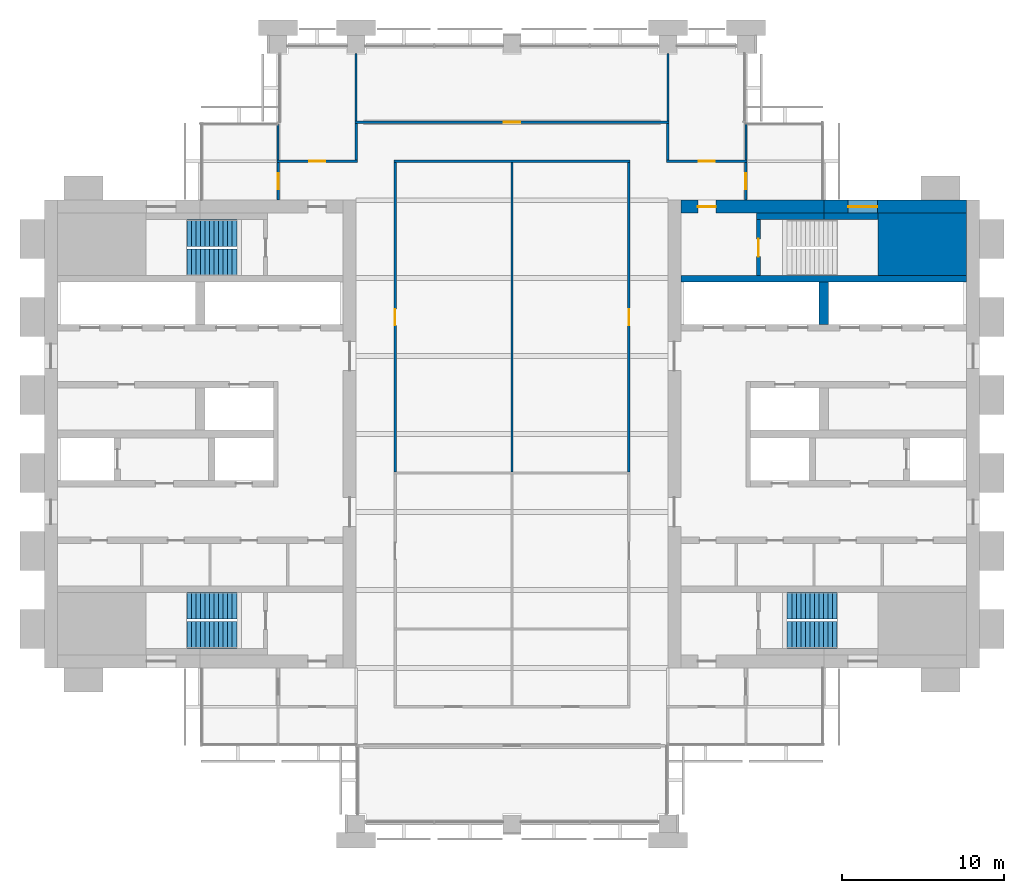
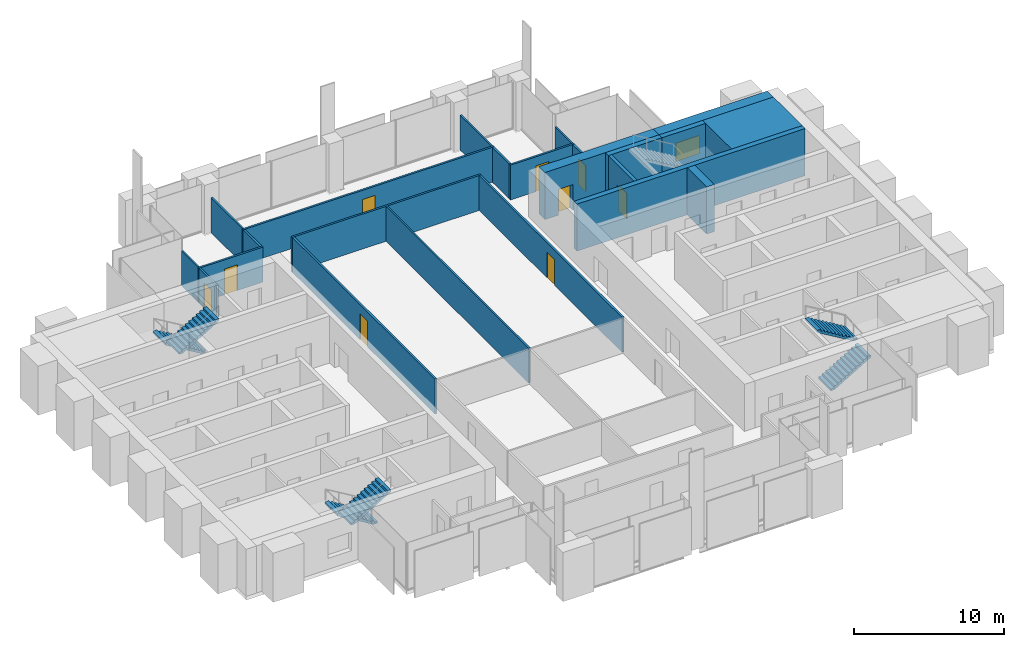
# One storey, part 11 of 13: 23 walls, 9 doors, 6 stair flights, 1 window, 10 openings, 3 elements without a shape of their own.
"""IFC4 building model written with IfcOpenShell, lengths in metres."""

from ifc_helpers import new_model, si_unit, direction, frame, frame_2d, origin, place, context, subcontext, project, spatial, polyline, rectangle, outline, extrude, material, layer, layer_set, type_object, element, fill, aggregate, save


model = new_model("IFC4")

# Units and contexts
model_context = context("Model", 3, precision=1e-05, world=origin(), true_north=direction((0.0, 1.0)))
body_context = subcontext(model_context, "Body", "Model", "MODEL_VIEW")
ifc_project = project(units=[si_unit("LENGTHUNIT", "METRE"), si_unit("AREAUNIT", "SQUARE_METRE"), si_unit("VOLUMEUNIT", "CUBIC_METRE"), si_unit("PLANEANGLEUNIT", "RADIAN"), si_unit("MASSUNIT", "GRAM", prefix="KILO")], contexts=[model_context])

# Site, building, storey
site_placement = place(None, origin())
site = spatial("IfcSite", under=ifc_project, at=site_placement, CompositionType="ELEMENT")
building_placement = place(site_placement, origin())
building = spatial("IfcBuilding", under=site, at=building_placement, Name="Baori Bourse Tower", CompositionType="ELEMENT")
storey_placement = place(building_placement, frame((0.0, 0.0, 193.199951171875)))
storey = spatial("IfcBuildingStorey", under=building, at=storey_placement, Name="L41", CompositionType="ELEMENT", Elevation=193.199951171875)

# Wall
ifc_material_1 = material(Name="Concrete f'c 50 MPa", Category="concrete")
wall_type_1 = type_object("IfcWallType", Name="Core corner block f'c 50", PredefinedType="SHEAR", material=ifc_material_1)
wall_1_placement = place(storey_placement, frame((51.35009765625, 35.675048828125, 0.0), z_axis=(0.0, 0.0, 1.0), x_axis=(1.0, 0.0, 0.0)))
element("IfcWall", 1, at=wall_1_placement, inside=storey, type_object=wall_type_1, Name="Core wall E24", PredefinedType="SHEAR", context=body_context, shape_type="SweptSolid", body=[
    extrude(rectangle(XDim=5.449951171875, YDim=3.85009765625, at=frame_2d((2.72509765625, 0.0))), origin(), (0.0, 0.0, 1.0), 3.840087890625),
])

# Wall, opening, window
ifc_material_2 = material(Name="Concrete f'c 50 MPa", Category="concrete")
ifc_layer_1 = layer(ifc_material_2, 0.800048828125)
ifc_layer_set_1 = layer_set([ifc_layer_1], Name="Core wall 800 f'c 50")
wall_type_2 = type_object("IfcWallType", Name="Core wall 800 f'c 50", PredefinedType="SHEAR", material=ifc_layer_set_1)
wall_2_placement = place(storey_placement, frame((48.0, 38.0, 0.0), z_axis=(0.0, 0.0, 1.0), x_axis=(1.0, 0.0, 0.0)))
wall_2 = element("IfcWall", 2, at=wall_2_placement, inside=storey, type_object=wall_type_2, Name="Core wall E28", PredefinedType="SHEAR", context=body_context, shape_type="SweptSolid", body=[
    extrude(rectangle(XDim=8.800048828125, YDim=0.800048828125, at=frame_2d((4.39990234375, 0.0))), origin(), (0.0, 0.0, 1.0), 3.840087890625),
])
opening_1_placement = place(wall_2_placement, frame((1.5, 0.0, 0.89990234375)))
opening_1 = element("IfcOpeningElement", 3, at=opening_1_placement, cuts=wall_2, Name="Opening L41-KW204", PredefinedType="OPENING", context=body_context, shape_type="SweptSolid", body=[
    extrude(rectangle(XDim=1.800048828125, YDim=1.5, at=frame_2d((0.89990234375, 0.75))), frame((0.0, 0.409912109375, 0.0), z_axis=(0.0, -1.0, 0.0), x_axis=(1.0, 0.0, 0.0)), (0.0, 0.0, 1.0), 0.820068359375),
])
ifc_material_3 = material(Name="Pale anodised aluminium", Category="aluminium")
window_type = type_object("IfcWindowType", Name="Stair window 1800 x 1500", PartitioningType="SINGLE_PANEL", PredefinedType="WINDOW", material=ifc_material_3)
window_placement = place(opening_1_placement, origin())
window = element("IfcWindow", 4, at=window_placement, inside=storey, type_object=window_type, Name="Stair window E L41 4", OverallHeight=1.5, OverallWidth=1.800048828125, PartitioningType="SINGLE_PANEL", PredefinedType="WINDOW", context=body_context, shape_type="SweptSolid", body=[
    extrude(rectangle(XDim=1.800048828125, YDim=1.5, at=frame_2d((0.89990234375, 0.75))), frame((0.0, 0.030029296875, 0.0), z_axis=(0.0, -1.0, 0.0), x_axis=(1.0, 0.0, 0.0)), (0.0, 0.0, 1.0), 0.06005859375),
])
fill(opening_1, window)

# Wall, opening, door
wall_3_placement = place(storey_placement, frame((39.199951171875, 38.0, 0.0), z_axis=(0.0, 0.0, 1.0), x_axis=(1.0, 0.0, 0.0)))
wall_3 = element("IfcWall", 5, at=wall_3_placement, inside=storey, type_object=wall_type_2, Name="Core wall E29", PredefinedType="SHEAR", context=body_context, shape_type="SweptSolid", body=[
    extrude(rectangle(XDim=8.800048828125, YDim=0.800048828125, at=frame_2d((4.39990234375, 0.0))), origin(), (0.0, 0.0, 1.0), 3.840087890625),
])
opening_2_placement = place(wall_3_placement, frame((1.050048828125, 0.0, 0.0)))
opening_2 = element("IfcOpeningElement", 6, at=opening_2_placement, cuts=wall_3, Name="Opening L41-D204", PredefinedType="OPENING", context=body_context, shape_type="SweptSolid", body=[
    extrude(rectangle(XDim=1.10009765625, YDim=2.10009765625, at=frame_2d((0.550048828125, 1.050048828125))), frame((0.0, 0.409912109375, 0.0), z_axis=(0.0, -1.0, 0.0), x_axis=(1.0, 0.0, 0.0)), (0.0, 0.0, 1.0), 0.820068359375),
])
ifc_material_4 = material(Name="Painted steel door", Category="steel")
door_type_1 = type_object("IfcDoorType", Name="Stair door 1100", OperationType="SINGLE_SWING_LEFT", PredefinedType="DOOR", material=ifc_material_4)
door_1_placement = place(opening_2_placement, origin())
door_1 = element("IfcDoor", 7, at=door_1_placement, inside=storey, type_object=door_type_1, Name="Stair vestibule door B E L41", OperationType="SINGLE_SWING_LEFT", OverallHeight=2.10009765625, OverallWidth=1.10009765625, PredefinedType="DOOR", context=body_context, shape_type="SweptSolid", body=[
    extrude(rectangle(XDim=1.10009765625, YDim=2.10009765625, at=frame_2d((0.550048828125, 1.050048828125))), frame((0.0, 0.02490234375, 0.0), z_axis=(0.0, -1.0, 0.0), x_axis=(1.0, 0.0, 0.0)), (0.0, 0.0, 1.0), 0.050048828125),
])
fill(opening_2, door_1)

ifc_material_5 = material(Name="Gypsum board partition")
ifc_layer_2 = layer(ifc_material_5, 0.14990234375)
ifc_layer_set_2 = layer_set([ifc_layer_2], Name="Corridor partition 150")
wall_type_3 = type_object("IfcWallType", Name="Corridor partition 150", PredefinedType="PARTITIONING", material=ifc_layer_set_2)
wall_4_placement = place(storey_placement, frame((14.324951171875, 40.800048828125, 0.0), z_axis=(0.0, 0.0, 1.0), x_axis=(1.0, 0.0, 0.0)))
wall_4 = element("IfcWall", 8, at=wall_4_placement, inside=storey, type_object=wall_type_3, Name="Partition", PredefinedType="PARTITIONING", context=body_context, shape_type="SweptSolid", body=[
    extrude(rectangle(XDim=4.949951171875, YDim=0.14990234375, at=frame_2d((2.47509765625, 0.0))), origin(), (0.0, 0.0, 1.0), 2.849365234375),
])
opening_3_placement = place(wall_4_placement, frame((1.97509765625, 0.0, 0.0)))
opening_3 = element("IfcOpeningElement", 9, at=opening_3_placement, cuts=wall_4, Name="Opening L41-D06", PredefinedType="OPENING", context=body_context, shape_type="SweptSolid", body=[
    extrude(rectangle(XDim=1.0, YDim=2.10009765625, at=frame_2d((0.5, 1.050048828125))), frame((0.0, 0.0849609375, 0.0), z_axis=(0.0, -1.0, 0.0), x_axis=(1.0, 0.0, 0.0)), (0.0, 0.0, 1.0), 0.169921875),
])
ifc_material_6 = material(Name="Timber door leaf", Category="wood")
door_type_2 = type_object("IfcDoorType", Name="Door 1000 x 2100", OperationType="SINGLE_SWING_LEFT", PredefinedType="DOOR", material=ifc_material_6)
door_2_placement = place(opening_3_placement, origin())
door_2 = element("IfcDoor", 10, at=door_2_placement, inside=storey, type_object=door_type_2, Name="Door", OperationType="SINGLE_SWING_LEFT", OverallHeight=2.10009765625, OverallWidth=1.0, PredefinedType="DOOR", context=body_context, shape_type="SweptSolid", body=[
    extrude(rectangle(XDim=1.0, YDim=2.10009765625, at=frame_2d((0.5, 1.050048828125))), frame((0.0, 0.02490234375, 0.0), z_axis=(0.0, -1.0, 0.0), x_axis=(1.0, 0.0, 0.0)), (0.0, 0.0, 1.0), 0.050048828125),
])
fill(opening_3, door_2)

# Wall
wall_5_placement = place(storey_placement, frame((21.52490234375, 40.800048828125, 0.0), z_axis=(0.0, 0.0, 1.0), x_axis=(1.0, 0.0, 0.0)))
element("IfcWall", 11, at=wall_5_placement, inside=storey, type_object=wall_type_3, Name="Partition", PredefinedType="PARTITIONING", context=body_context, shape_type="SweptSolid", body=[
    extrude(rectangle(XDim=14.550048828125, YDim=0.14990234375, at=frame_2d((7.27490234375, 0.0))), origin(), (0.0, 0.0, 1.0), 2.849365234375),
])

# Wall, opening, door
wall_6_placement = place(storey_placement, frame((38.324951171875, 40.800048828125, 0.0), z_axis=(0.0, 0.0, 1.0), x_axis=(1.0, 0.0, 0.0)))
wall_6 = element("IfcWall", 12, at=wall_6_placement, inside=storey, type_object=wall_type_3, Name="Partition", PredefinedType="PARTITIONING", context=body_context, shape_type="SweptSolid", body=[
    extrude(rectangle(XDim=4.949951171875, YDim=0.14990234375, at=frame_2d((2.47509765625, 0.0))), origin(), (0.0, 0.0, 1.0), 2.849365234375),
])
opening_4_placement = place(wall_6_placement, frame((1.97509765625, 0.0, 0.0)))
opening_4 = element("IfcOpeningElement", 13, at=opening_4_placement, cuts=wall_6, Name="Opening L41-D07", PredefinedType="OPENING", context=body_context, shape_type="SweptSolid", body=[
    extrude(rectangle(XDim=1.0, YDim=2.10009765625, at=frame_2d((0.5, 1.050048828125))), frame((0.0, 0.0849609375, 0.0), z_axis=(0.0, -1.0, 0.0), x_axis=(1.0, 0.0, 0.0)), (0.0, 0.0, 1.0), 0.169921875),
])
door_3_placement = place(opening_4_placement, origin())
door_3 = element("IfcDoor", 14, at=door_3_placement, inside=storey, type_object=door_type_2, Name="Door", OperationType="SINGLE_SWING_RIGHT", OverallHeight=2.10009765625, OverallWidth=1.0, PredefinedType="DOOR", context=body_context, shape_type="SweptSolid", body=[
    extrude(rectangle(XDim=1.0, YDim=2.10009765625, at=frame_2d((0.5, 1.050048828125))), frame((0.0, 0.02490234375, 0.0), z_axis=(0.0, -1.0, 0.0), x_axis=(1.0, 0.0, 0.0)), (0.0, 0.0, 1.0), 0.050048828125),
])
fill(opening_4, door_3)

wall_7_placement = place(storey_placement, frame((19.125, 43.199951171875, 0.0), z_axis=(0.0, 0.0, 1.0), x_axis=(1.0, 0.0, 0.0)))
wall_7 = element("IfcWall", 15, at=wall_7_placement, inside=storey, type_object=wall_type_3, Name="Partition", PredefinedType="PARTITIONING", context=body_context, shape_type="SweptSolid", body=[
    extrude(rectangle(XDim=19.35009765625, YDim=0.14990234375, at=frame_2d((9.675048828125, 0.0))), origin(), (0.0, 0.0, 1.0), 2.849365234375),
])
opening_5_placement = place(wall_7_placement, frame((9.175048828125, 0.0, 0.0)))
opening_5 = element("IfcOpeningElement", 16, at=opening_5_placement, cuts=wall_7, Name="Opening L41-D08", PredefinedType="OPENING", context=body_context, shape_type="SweptSolid", body=[
    extrude(rectangle(XDim=1.0, YDim=2.10009765625, at=frame_2d((0.5, 1.050048828125))), frame((0.0, 0.0849609375, 0.0), z_axis=(0.0, -1.0, 0.0), x_axis=(1.0, 0.0, 0.0)), (0.0, 0.0, 1.0), 0.169921875),
])
door_4_placement = place(opening_5_placement, origin())
door_4 = element("IfcDoor", 17, at=door_4_placement, inside=storey, type_object=door_type_2, Name="Door", OperationType="SINGLE_SWING_RIGHT", OverallHeight=2.10009765625, OverallWidth=1.0, PredefinedType="DOOR", context=body_context, shape_type="SweptSolid", body=[
    extrude(rectangle(XDim=1.0, YDim=2.10009765625, at=frame_2d((0.5, 1.050048828125))), frame((0.0, 0.02490234375, 0.0), z_axis=(0.0, -1.0, 0.0), x_axis=(1.0, 0.0, 0.0)), (0.0, 0.0, 1.0), 0.050048828125),
])
fill(opening_5, door_4)

wall_8_placement = place(storey_placement, frame((14.39990234375, 38.39990234375, 0.0), z_axis=(0.0, 0.0, 1.0), x_axis=(0.0, 1.0, 0.0)))
wall_8 = element("IfcWall", 18, at=wall_8_placement, inside=storey, type_object=wall_type_3, Name="Partition", PredefinedType="PARTITIONING", context=body_context, shape_type="SweptSolid", body=[
    extrude(rectangle(XDim=2.3251953125, YDim=0.14990234375, at=frame_2d((1.16259765625, 0.0))), origin(), (0.0, 0.0, 1.0), 2.849365234375),
])
opening_6_placement = place(wall_8_placement, frame((0.66259765625, 0.0, 0.0)))
opening_6 = element("IfcOpeningElement", 19, at=opening_6_placement, cuts=wall_8, Name="Opening L41-D10", PredefinedType="OPENING", context=body_context, shape_type="SweptSolid", body=[
    extrude(rectangle(XDim=1.0, YDim=2.10009765625, at=frame_2d((0.5, 1.050048828125))), frame((0.0, 0.0849609375, 0.0), z_axis=(0.0, -1.0, 0.0), x_axis=(1.0, 0.0, 0.0)), (0.0, 0.0, 1.0), 0.169921875),
])
door_5_placement = place(opening_6_placement, origin())
door_5 = element("IfcDoor", 20, at=door_5_placement, inside=storey, type_object=door_type_2, Name="Door", OperationType="SINGLE_SWING_RIGHT", OverallHeight=2.10009765625, OverallWidth=1.0, PredefinedType="DOOR", context=body_context, shape_type="SweptSolid", body=[
    extrude(rectangle(XDim=1.0, YDim=2.10009765625, at=frame_2d((0.5, 1.050048828125))), frame((0.0, 0.02490234375, 0.0), z_axis=(0.0, -1.0, 0.0), x_axis=(1.0, 0.0, 0.0)), (0.0, 0.0, 1.0), 0.050048828125),
])
fill(opening_6, door_5)

# Wall
wall_9_placement = place(storey_placement, frame((19.199951171875, 40.875, 0.0), z_axis=(0.0, 0.0, 1.0), x_axis=(0.0, 1.0, 0.0)))
element("IfcWall", 21, at=wall_9_placement, inside=storey, type_object=wall_type_3, Name="Partition", PredefinedType="PARTITIONING", context=body_context, shape_type="SweptSolid", body=[
    extrude(rectangle(XDim=2.25, YDim=0.14990234375, at=frame_2d((1.125, 0.0))), origin(), (0.0, 0.0, 1.0), 2.849365234375),
])

# Wall, opening, door
wall_10_placement = place(storey_placement, frame((21.60009765625, 21.66259765625, 0.0), z_axis=(0.0, 0.0, 1.0), x_axis=(0.0, 1.0, 0.0)))
wall_10 = element("IfcWall", 22, at=wall_10_placement, inside=storey, type_object=wall_type_3, Name="Partition", PredefinedType="PARTITIONING", context=body_context, shape_type="SweptSolid", body=[
    extrude(rectangle(XDim=19.0625, YDim=0.14990234375, at=frame_2d((9.53125, 0.0))), origin(), (0.0, 0.0, 1.0), 2.849365234375),
])
opening_7_placement = place(wall_10_placement, frame((9.03125, 0.0, 0.0)))
opening_7 = element("IfcOpeningElement", 23, at=opening_7_placement, cuts=wall_10, Name="Opening L41-D12", PredefinedType="OPENING", context=body_context, shape_type="SweptSolid", body=[
    extrude(rectangle(XDim=1.0, YDim=2.10009765625, at=frame_2d((0.5, 1.050048828125))), frame((0.0, 0.0849609375, 0.0), z_axis=(0.0, -1.0, 0.0), x_axis=(1.0, 0.0, 0.0)), (0.0, 0.0, 1.0), 0.169921875),
])
door_6_placement = place(opening_7_placement, origin())
door_6 = element("IfcDoor", 24, at=door_6_placement, inside=storey, type_object=door_type_2, Name="Door", OperationType="SINGLE_SWING_LEFT", OverallHeight=2.10009765625, OverallWidth=1.0, PredefinedType="DOOR", context=body_context, shape_type="SweptSolid", body=[
    extrude(rectangle(XDim=1.0, YDim=2.10009765625, at=frame_2d((0.5, 1.050048828125))), frame((0.0, 0.02490234375, 0.0), z_axis=(0.0, -1.0, 0.0), x_axis=(1.0, 0.0, 0.0)), (0.0, 0.0, 1.0), 0.050048828125),
])
fill(opening_7, door_6)

wall_11_placement = place(storey_placement, frame((36.0, 21.66259765625, 0.0), z_axis=(0.0, 0.0, 1.0), x_axis=(0.0, 1.0, 0.0)))
wall_11 = element("IfcWall", 25, at=wall_11_placement, inside=storey, type_object=wall_type_3, Name="Partition", PredefinedType="PARTITIONING", context=body_context, shape_type="SweptSolid", body=[
    extrude(rectangle(XDim=19.0625, YDim=0.14990234375, at=frame_2d((9.53125, 0.0))), origin(), (0.0, 0.0, 1.0), 2.849365234375),
])
opening_8_placement = place(wall_11_placement, frame((9.03125, 0.0, 0.0)))
opening_8 = element("IfcOpeningElement", 26, at=opening_8_placement, cuts=wall_11, Name="Opening L41-D14", PredefinedType="OPENING", context=body_context, shape_type="SweptSolid", body=[
    extrude(rectangle(XDim=1.0, YDim=2.10009765625, at=frame_2d((0.5, 1.050048828125))), frame((0.0, 0.0849609375, 0.0), z_axis=(0.0, -1.0, 0.0), x_axis=(1.0, 0.0, 0.0)), (0.0, 0.0, 1.0), 0.169921875),
])
door_7_placement = place(opening_8_placement, origin())
door_7 = element("IfcDoor", 27, at=door_7_placement, inside=storey, type_object=door_type_2, Name="Door", OperationType="SINGLE_SWING_RIGHT", OverallHeight=2.10009765625, OverallWidth=1.0, PredefinedType="DOOR", context=body_context, shape_type="SweptSolid", body=[
    extrude(rectangle(XDim=1.0, YDim=2.10009765625, at=frame_2d((0.5, 1.050048828125))), frame((0.0, 0.02490234375, 0.0), z_axis=(0.0, -1.0, 0.0), x_axis=(1.0, 0.0, 0.0)), (0.0, 0.0, 1.0), 0.050048828125),
])
fill(opening_8, door_7)

# Wall
wall_12_placement = place(storey_placement, frame((38.39990234375, 40.875, 0.0), z_axis=(0.0, 0.0, 1.0), x_axis=(0.0, 1.0, 0.0)))
element("IfcWall", 28, at=wall_12_placement, inside=storey, type_object=wall_type_3, Name="Partition", PredefinedType="PARTITIONING", context=body_context, shape_type="SweptSolid", body=[
    extrude(rectangle(XDim=2.25, YDim=0.14990234375, at=frame_2d((1.125, 0.0))), origin(), (0.0, 0.0, 1.0), 2.849365234375),
])

# Wall, opening, door
wall_13_placement = place(storey_placement, frame((43.199951171875, 38.39990234375, 0.0), z_axis=(0.0, 0.0, 1.0), x_axis=(0.0, 1.0, 0.0)))
wall_13 = element("IfcWall", 29, at=wall_13_placement, inside=storey, type_object=wall_type_3, Name="Partition", PredefinedType="PARTITIONING", context=body_context, shape_type="SweptSolid", body=[
    extrude(rectangle(XDim=2.3251953125, YDim=0.14990234375, at=frame_2d((1.16259765625, 0.0))), origin(), (0.0, 0.0, 1.0), 2.849365234375),
])
opening_9_placement = place(wall_13_placement, frame((0.66259765625, 0.0, 0.0)))
opening_9 = element("IfcOpeningElement", 30, at=opening_9_placement, cuts=wall_13, Name="Opening L41-D16", PredefinedType="OPENING", context=body_context, shape_type="SweptSolid", body=[
    extrude(rectangle(XDim=1.0, YDim=2.10009765625, at=frame_2d((0.5, 1.050048828125))), frame((0.0, 0.0849609375, 0.0), z_axis=(0.0, -1.0, 0.0), x_axis=(1.0, 0.0, 0.0)), (0.0, 0.0, 1.0), 0.169921875),
])
door_8_placement = place(opening_9_placement, origin())
door_8 = element("IfcDoor", 31, at=door_8_placement, inside=storey, type_object=door_type_2, Name="Door", OperationType="SINGLE_SWING_LEFT", OverallHeight=2.10009765625, OverallWidth=1.0, PredefinedType="DOOR", context=body_context, shape_type="SweptSolid", body=[
    extrude(rectangle(XDim=1.0, YDim=2.10009765625, at=frame_2d((0.5, 1.050048828125))), frame((0.0, 0.02490234375, 0.0), z_axis=(0.0, -1.0, 0.0), x_axis=(1.0, 0.0, 0.0)), (0.0, 0.0, 1.0), 0.050048828125),
])
fill(opening_9, door_8)

# Walls
ifc_material_7 = material(Name="Gypsum board partition")
ifc_layer_3 = layer(ifc_material_7, 0.125)
ifc_layer_set_3 = layer_set([ifc_layer_3], Name="Partition 125")
wall_type_4 = type_object("IfcWallType", Name="Partition 125", PredefinedType="PARTITIONING", material=ifc_layer_set_3)
wall_14_placement = place(storey_placement, frame((14.39990234375, 40.875, 0.0), z_axis=(0.0, 0.0, 1.0), x_axis=(0.0, 1.0, 0.0)))
element("IfcWall", 32, at=wall_14_placement, inside=storey, type_object=wall_type_4, Name="Partition", PredefinedType="PARTITIONING", context=body_context, shape_type="SweptSolid", body=[
    extrude(rectangle(XDim=2.22509765625, YDim=0.125, at=frame_2d((1.112548828125, 0.0))), origin(), (0.0, 0.0, 1.0), 2.849365234375),
])
wall_15_placement = place(storey_placement, frame((19.199951171875, 43.27490234375, 0.0), z_axis=(0.0, 0.0, 1.0), x_axis=(0.0, 1.0, 0.0)))
element("IfcWall", 33, at=wall_15_placement, inside=storey, type_object=wall_type_4, Name="Partition", PredefinedType="PARTITIONING", context=body_context, shape_type="SweptSolid", body=[
    extrude(rectangle(XDim=4.175048828125, YDim=0.125, at=frame_2d((2.08740234375, 0.0))), origin(), (0.0, 0.0, 1.0), 2.849365234375),
])
wall_16_placement = place(storey_placement, frame((28.800048828125, 21.66259765625, 0.0), z_axis=(0.0, 0.0, 1.0), x_axis=(0.0, 1.0, 0.0)))
element("IfcWall", 34, at=wall_16_placement, inside=storey, type_object=wall_type_4, Name="Partition", PredefinedType="PARTITIONING", context=body_context, shape_type="SweptSolid", body=[
    extrude(rectangle(XDim=19.0625, YDim=0.125, at=frame_2d((9.53125, 0.0))), origin(), (0.0, 0.0, 1.0), 2.849365234375),
])
wall_17_placement = place(storey_placement, frame((38.39990234375, 43.27490234375, 0.0), z_axis=(0.0, 0.0, 1.0), x_axis=(0.0, 1.0, 0.0)))
element("IfcWall", 35, at=wall_17_placement, inside=storey, type_object=wall_type_4, Name="Partition", PredefinedType="PARTITIONING", context=body_context, shape_type="SweptSolid", body=[
    extrude(rectangle(XDim=4.175048828125, YDim=0.125, at=frame_2d((2.08740234375, 0.0))), origin(), (0.0, 0.0, 1.0), 2.849365234375),
])
wall_18_placement = place(storey_placement, frame((43.199951171875, 40.875, 0.0), z_axis=(0.0, 0.0, 1.0), x_axis=(0.0, 1.0, 0.0)))
element("IfcWall", 36, at=wall_18_placement, inside=storey, type_object=wall_type_4, Name="Partition", PredefinedType="PARTITIONING", context=body_context, shape_type="SweptSolid", body=[
    extrude(rectangle(XDim=2.22509765625, YDim=0.125, at=frame_2d((1.112548828125, 0.0))), origin(), (0.0, 0.0, 1.0), 2.849365234375),
])

# Wall, opening, door
ifc_material_8 = material(Name="Concrete f'c 50 MPa", Category="concrete")
ifc_layer_4 = layer(ifc_material_8, 0.25)
ifc_layer_set_4 = layer_set([ifc_layer_4], Name="Shaft wall 250 f'c 50")
wall_type_5 = type_object("IfcWallType", Name="Shaft wall 250 f'c 50", PredefinedType="SHEAR", material=ifc_layer_set_4)
wall_19_placement = place(storey_placement, frame((43.97509765625, 33.75, 0.0), z_axis=(0.0, 0.0, 1.0), x_axis=(0.0, 1.0, 0.0)))
wall_19 = element("IfcWall", 37, at=wall_19_placement, inside=storey, type_object=wall_type_5, Name="Core wall E25", PredefinedType="SHEAR", context=body_context, shape_type="SweptSolid", body=[
    extrude(rectangle(XDim=3.449951171875, YDim=0.25, at=frame_2d((1.72509765625, 0.0))), origin(), (0.0, 0.0, 1.0), 3.840087890625),
])
opening_10_placement = place(wall_19_placement, frame((1.175048828125, 0.0, 0.0)))
opening_10 = element("IfcOpeningElement", 38, at=opening_10_placement, cuts=wall_19, Name="Opening L41-D203", PredefinedType="OPENING", context=body_context, shape_type="SweptSolid", body=[
    extrude(rectangle(XDim=1.10009765625, YDim=2.10009765625, at=frame_2d((0.550048828125, 1.050048828125))), frame((0.0, 0.135009765625, 0.0), z_axis=(0.0, -1.0, 0.0), x_axis=(1.0, 0.0, 0.0)), (0.0, 0.0, 1.0), 0.27001953125),
])
door_9_placement = place(opening_10_placement, origin())
door_9 = element("IfcDoor", 39, at=door_9_placement, inside=storey, type_object=door_type_1, Name="Stair door B E L41", OperationType="SINGLE_SWING_LEFT", OverallHeight=2.10009765625, OverallWidth=1.10009765625, PredefinedType="DOOR", context=body_context, shape_type="SweptSolid", body=[
    extrude(rectangle(XDim=1.10009765625, YDim=2.10009765625, at=frame_2d((0.550048828125, 1.050048828125))), frame((0.0, 0.02490234375, 0.0), z_axis=(0.0, -1.0, 0.0), x_axis=(1.0, 0.0, 0.0)), (0.0, 0.0, 1.0), 0.050048828125),
])
fill(opening_10, door_9)

# Walls
ifc_material_9 = material(Name="Concrete f'c 50 MPa", Category="concrete")
ifc_layer_5 = layer(ifc_material_9, 0.39990234375)
ifc_layer_set_5 = layer_set([ifc_layer_5], Name="Shaft wall 400 f'c 50")
wall_type_6 = type_object("IfcWallType", Name="Shaft wall 400 f'c 50", PredefinedType="SHEAR", material=ifc_layer_set_5)
wall_20_placement = place(storey_placement, frame((39.199951171875, 33.550048828125, 0.0), z_axis=(0.0, 0.0, 1.0), x_axis=(1.0, 0.0, 0.0)))
element("IfcWall", 40, at=wall_20_placement, inside=storey, type_object=wall_type_6, Name="Core wall E23", PredefinedType="SHEAR", context=body_context, shape_type="SweptSolid", body=[
    extrude(rectangle(XDim=17.60009765625, YDim=0.39990234375, at=frame_2d((8.800048828125, 0.0))), origin(), (0.0, 0.0, 1.0), 3.840087890625),
])
wall_21_placement = place(storey_placement, frame((48.0, 37.39990234375, 0.0), z_axis=(0.0, 0.0, 1.0), x_axis=(1.0, 0.0, 0.0)))
element("IfcWall", 41, at=wall_21_placement, inside=storey, type_object=wall_type_6, Name="Core wall E26", PredefinedType="SHEAR", context=body_context, shape_type="SweptSolid", body=[
    extrude(rectangle(XDim=3.35009765625, YDim=0.39990234375, at=frame_2d((1.675048828125, 0.0))), origin(), (0.0, 0.0, 1.0), 3.840087890625),
])
wall_22_placement = place(storey_placement, frame((43.85009765625, 37.39990234375, 0.0), z_axis=(0.0, 0.0, 1.0), x_axis=(1.0, 0.0, 0.0)))
element("IfcWall", 42, at=wall_22_placement, inside=storey, type_object=wall_type_6, Name="Core wall E27", PredefinedType="SHEAR", context=body_context, shape_type="SweptSolid", body=[
    extrude(rectangle(XDim=4.14990234375, YDim=0.39990234375, at=frame_2d((2.074951171875, 0.0))), origin(), (0.0, 0.0, 1.0), 3.840087890625),
])
ifc_material_10 = material(Name="Concrete f'c 50 MPa", Category="concrete")
ifc_layer_6 = layer(ifc_material_10, 0.60009765625)
ifc_layer_set_6 = layer_set([ifc_layer_6], Name="Shaft wall 600 f'c 50")
wall_type_7 = type_object("IfcWallType", Name="Shaft wall 600 f'c 50", PredefinedType="SHEAR", material=ifc_layer_set_6)
wall_23_placement = place(storey_placement, frame((48.0, 30.75, 0.0), z_axis=(0.0, 0.0, 1.0), x_axis=(0.0, 1.0, 0.0)))
element("IfcWall", 43, at=wall_23_placement, inside=storey, type_object=wall_type_7, Name="Core wall E22", PredefinedType="SHEAR", context=body_context, shape_type="SweptSolid", body=[
    extrude(rectangle(XDim=2.60009765625, YDim=0.60009765625, at=frame_2d((1.300048828125, 0.0))), origin(), (0.0, 0.0, 1.0), 3.840087890625),
])

# Stair, stair flights
ifc_material_11 = material(Name="Concrete f'c 50 MPa", Category="concrete")
stair_type = type_object("IfcStairType", Name="Core stair", PredefinedType="HALF_TURN_STAIR", material=ifc_material_11)
stair_1_placement = place(storey_placement, origin())
stair_1 = element("IfcStair", 44, at=stair_1_placement, inside=storey, type_object=stair_type, Name="L41 Stair WA", PredefinedType="HALF_TURN_STAIR")
ifc_material_12 = material(Name="Concrete f'c 50 MPa", Category="concrete")
stair_flight_type = type_object("IfcStairFlightType", Name="Core stair flight", PredefinedType="STRAIGHT", material=ifc_material_12)
stair_flight_1_placement = place(storey_placement, frame((11.85009765625, 13.425048828125, 0.0), z_axis=(0.0, 0.0, 1.0), x_axis=(-1.0, 0.0, 0.0)))
stair_flight_1 = element("IfcStairFlight", 45, at=stair_flight_1_placement, type_object=stair_flight_type, Name="ST1 flight 1", NumberOfRisers=12, NumberOfTreads=11, PredefinedType="STRAIGHT", RiserHeight=0.166666667, TreadLength=0.28, context=body_context, shape_type="SweptSolid", body=[
    extrude(outline(polyline([(0.0, 0.0), (0.0, 0.166748046875), (0.280029296875, 0.166748046875), (0.280029296875, 0.333251953125), (0.56005859375, 0.333251953125), (0.56005859375, 0.5), (0.840087890625, 0.5), (0.840087890625, 0.666748046875), (1.1201171875, 0.666748046875), (1.1201171875, 0.833251953125), (1.39990234375, 0.833251953125), (1.39990234375, 1.0), (1.679931640625, 1.0), (1.679931640625, 1.166748046875), (1.9599609375, 1.166748046875), (1.9599609375, 1.333251953125), (2.239990234375, 1.333251953125), (2.239990234375, 1.5), (2.52001953125, 1.5), (2.52001953125, 1.666748046875), (2.800048828125, 1.666748046875), (2.800048828125, 1.833251953125), (3.080078125, 1.833251953125), (3.080078125, 2.0), (3.080078125, 1.658935546875), (0.29296875, 0.0), (0.0, 0.0)])), frame((0.0, 0.824951171875, 0.0), z_axis=(0.0, -1.0, 0.0), x_axis=(1.0, 0.0, 0.0)), (0.0, 0.0, 1.0), 1.64990234375),
])
stair_flight_2_placement = place(storey_placement, frame((8.77001953125, 11.625, 2.0), z_axis=(0.0, 0.0, 1.0), x_axis=(1.0, 0.0, 0.0)))
stair_flight_2 = element("IfcStairFlight", 46, at=stair_flight_2_placement, type_object=stair_flight_type, Name="ST1 flight 2", NumberOfRisers=12, NumberOfTreads=11, PredefinedType="STRAIGHT", RiserHeight=0.166666667, TreadLength=0.28, context=body_context, shape_type="SweptSolid", body=[
    extrude(outline(polyline([(0.0, 0.0), (0.0, 0.166748046875), (0.280029296875, 0.166748046875), (0.280029296875, 0.333251953125), (0.56005859375, 0.333251953125), (0.56005859375, 0.5), (0.840087890625, 0.5), (0.840087890625, 0.666748046875), (1.1201171875, 0.666748046875), (1.1201171875, 0.833251953125), (1.39990234375, 0.833251953125), (1.39990234375, 1.0), (1.679931640625, 1.0), (1.679931640625, 1.166748046875), (1.9599609375, 1.166748046875), (1.9599609375, 1.333251953125), (2.239990234375, 1.333251953125), (2.239990234375, 1.5), (2.52001953125, 1.5), (2.52001953125, 1.666748046875), (2.800048828125, 1.666748046875), (2.800048828125, 1.833251953125), (3.080078125, 1.833251953125), (3.080078125, 2.0), (3.080078125, 1.658935546875), (0.29296875, 0.0), (0.0, 0.0)])), frame((0.0, 0.824951171875, 0.0), z_axis=(0.0, -1.0, 0.0), x_axis=(1.0, 0.0, 0.0)), (0.0, 0.0, 1.0), 1.64990234375),
])
aggregate(stair_1, [stair_flight_1, stair_flight_2])

stair_2_placement = place(storey_placement, origin())
stair_2 = element("IfcStair", 47, at=stair_2_placement, inside=storey, type_object=stair_type, Name="L41 Stair WB", PredefinedType="HALF_TURN_STAIR")
stair_flight_3_placement = place(storey_placement, frame((11.85009765625, 36.375, 0.0), z_axis=(0.0, 0.0, 1.0), x_axis=(-1.0, 0.0, 0.0)))
stair_flight_3 = element("IfcStairFlight", 48, at=stair_flight_3_placement, type_object=stair_flight_type, Name="ST2 flight 1", NumberOfRisers=12, NumberOfTreads=11, PredefinedType="STRAIGHT", RiserHeight=0.166666667, TreadLength=0.28, context=body_context, shape_type="SweptSolid", body=[
    extrude(outline(polyline([(0.0, 0.0), (0.0, 0.166748046875), (0.280029296875, 0.166748046875), (0.280029296875, 0.333251953125), (0.56005859375, 0.333251953125), (0.56005859375, 0.5), (0.840087890625, 0.5), (0.840087890625, 0.666748046875), (1.1201171875, 0.666748046875), (1.1201171875, 0.833251953125), (1.39990234375, 0.833251953125), (1.39990234375, 1.0), (1.679931640625, 1.0), (1.679931640625, 1.166748046875), (1.9599609375, 1.166748046875), (1.9599609375, 1.333251953125), (2.239990234375, 1.333251953125), (2.239990234375, 1.5), (2.52001953125, 1.5), (2.52001953125, 1.666748046875), (2.800048828125, 1.666748046875), (2.800048828125, 1.833251953125), (3.080078125, 1.833251953125), (3.080078125, 2.0), (3.080078125, 1.658935546875), (0.29296875, 0.0), (0.0, 0.0)])), frame((0.0, 0.824951171875, 0.0), z_axis=(0.0, -1.0, 0.0), x_axis=(1.0, 0.0, 0.0)), (0.0, 0.0, 1.0), 1.64990234375),
])
stair_flight_4_placement = place(storey_placement, frame((8.77001953125, 34.574951171875, 2.0), z_axis=(0.0, 0.0, 1.0), x_axis=(1.0, 0.0, 0.0)))
stair_flight_4 = element("IfcStairFlight", 49, at=stair_flight_4_placement, type_object=stair_flight_type, Name="ST2 flight 2", NumberOfRisers=12, NumberOfTreads=11, PredefinedType="STRAIGHT", RiserHeight=0.166666667, TreadLength=0.28, context=body_context, shape_type="SweptSolid", body=[
    extrude(outline(polyline([(0.0, 0.0), (0.0, 0.166748046875), (0.280029296875, 0.166748046875), (0.280029296875, 0.333251953125), (0.56005859375, 0.333251953125), (0.56005859375, 0.5), (0.840087890625, 0.5), (0.840087890625, 0.666748046875), (1.1201171875, 0.666748046875), (1.1201171875, 0.833251953125), (1.39990234375, 0.833251953125), (1.39990234375, 1.0), (1.679931640625, 1.0), (1.679931640625, 1.166748046875), (1.9599609375, 1.166748046875), (1.9599609375, 1.333251953125), (2.239990234375, 1.333251953125), (2.239990234375, 1.5), (2.52001953125, 1.5), (2.52001953125, 1.666748046875), (2.800048828125, 1.666748046875), (2.800048828125, 1.833251953125), (3.080078125, 1.833251953125), (3.080078125, 2.0), (3.080078125, 1.658935546875), (0.29296875, 0.0), (0.0, 0.0)])), frame((0.0, 0.824951171875, 0.0), z_axis=(0.0, -1.0, 0.0), x_axis=(1.0, 0.0, 0.0)), (0.0, 0.0, 1.0), 1.64990234375),
])
aggregate(stair_2, [stair_flight_3, stair_flight_4])

stair_3_placement = place(storey_placement, origin())
stair_3 = element("IfcStair", 50, at=stair_3_placement, inside=storey, type_object=stair_type, Name="L41 Stair EA", PredefinedType="HALF_TURN_STAIR")
stair_flight_5_placement = place(storey_placement, frame((45.75, 11.625, 0.0), z_axis=(0.0, 0.0, 1.0), x_axis=(1.0, 0.0, 0.0)))
stair_flight_5 = element("IfcStairFlight", 51, at=stair_flight_5_placement, type_object=stair_flight_type, Name="ST3 flight 1", NumberOfRisers=12, NumberOfTreads=11, PredefinedType="STRAIGHT", RiserHeight=0.166666667, TreadLength=0.28, context=body_context, shape_type="SweptSolid", body=[
    extrude(outline(polyline([(0.0, 0.0), (0.0, 0.166748046875), (0.280029296875, 0.166748046875), (0.280029296875, 0.333251953125), (0.56005859375, 0.333251953125), (0.56005859375, 0.5), (0.840087890625, 0.5), (0.840087890625, 0.666748046875), (1.1201171875, 0.666748046875), (1.1201171875, 0.833251953125), (1.39990234375, 0.833251953125), (1.39990234375, 1.0), (1.679931640625, 1.0), (1.679931640625, 1.166748046875), (1.9599609375, 1.166748046875), (1.9599609375, 1.333251953125), (2.239990234375, 1.333251953125), (2.239990234375, 1.5), (2.52001953125, 1.5), (2.52001953125, 1.666748046875), (2.800048828125, 1.666748046875), (2.800048828125, 1.833251953125), (3.080078125, 1.833251953125), (3.080078125, 2.0), (3.080078125, 1.658935546875), (0.29296875, 0.0), (0.0, 0.0)])), frame((0.0, 0.824951171875, 0.0), z_axis=(0.0, -1.0, 0.0), x_axis=(1.0, 0.0, 0.0)), (0.0, 0.0, 1.0), 1.64990234375),
])
stair_flight_6_placement = place(storey_placement, frame((48.830078125, 13.425048828125, 2.0), z_axis=(0.0, 0.0, 1.0), x_axis=(-1.0, 0.0, 0.0)))
stair_flight_6 = element("IfcStairFlight", 52, at=stair_flight_6_placement, type_object=stair_flight_type, Name="ST3 flight 2", NumberOfRisers=12, NumberOfTreads=11, PredefinedType="STRAIGHT", RiserHeight=0.166666667, TreadLength=0.28, context=body_context, shape_type="SweptSolid", body=[
    extrude(outline(polyline([(0.0, 0.0), (0.0, 0.166748046875), (0.280029296875, 0.166748046875), (0.280029296875, 0.333251953125), (0.56005859375, 0.333251953125), (0.56005859375, 0.5), (0.840087890625, 0.5), (0.840087890625, 0.666748046875), (1.1201171875, 0.666748046875), (1.1201171875, 0.833251953125), (1.39990234375, 0.833251953125), (1.39990234375, 1.0), (1.679931640625, 1.0), (1.679931640625, 1.166748046875), (1.9599609375, 1.166748046875), (1.9599609375, 1.333251953125), (2.239990234375, 1.333251953125), (2.239990234375, 1.5), (2.52001953125, 1.5), (2.52001953125, 1.666748046875), (2.800048828125, 1.666748046875), (2.800048828125, 1.833251953125), (3.080078125, 1.833251953125), (3.080078125, 2.0), (3.080078125, 1.658935546875), (0.29296875, 0.0), (0.0, 0.0)])), frame((0.0, 0.824951171875, 0.0), z_axis=(0.0, -1.0, 0.0), x_axis=(1.0, 0.0, 0.0)), (0.0, 0.0, 1.0), 1.64990234375),
])
aggregate(stair_3, [stair_flight_5, stair_flight_6])

save(model, "model.ifc")
